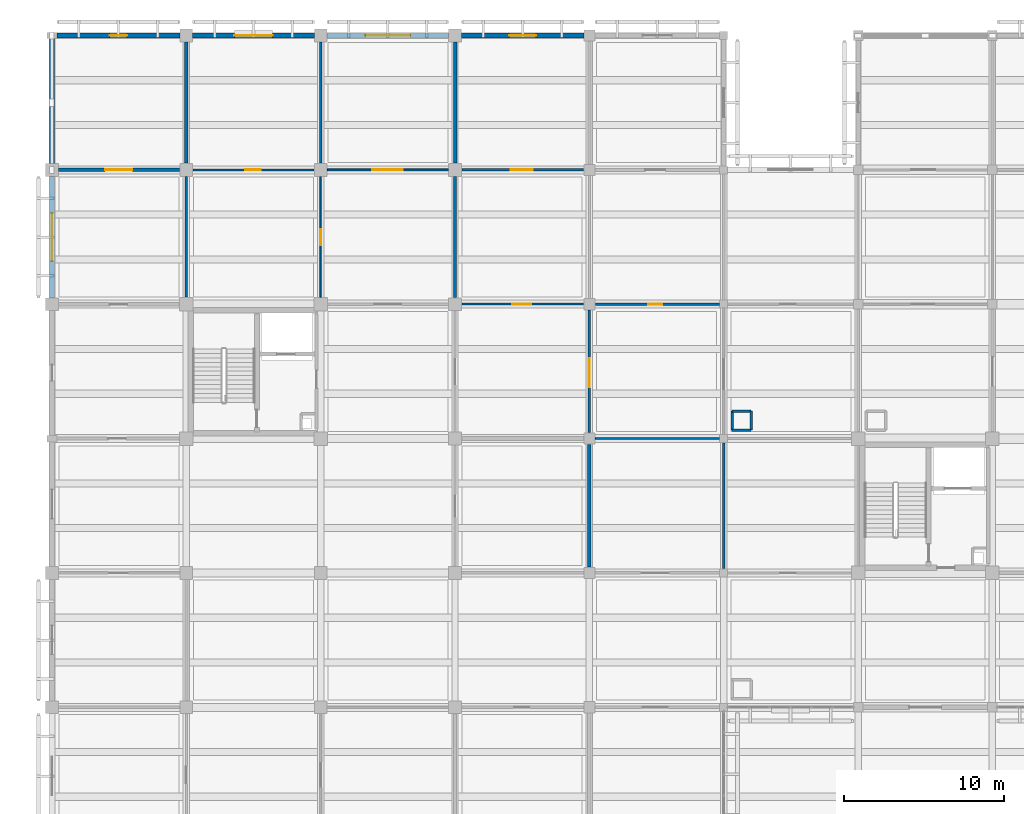
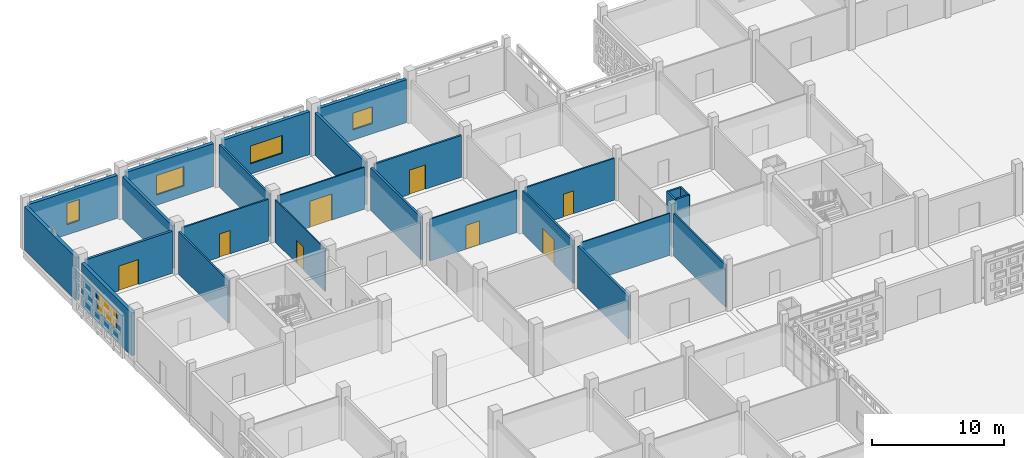
# One storey, part 64 of 129: 26 walls, 8 doors, 5 windows, 13 openings.
"""IFC4 building model written with IfcOpenShell, lengths in metres."""

from ifc_helpers import new_model, si_unit, direction, frame, frame_2d, origin, place, context, subcontext, project, spatial, rectangle, extrude, material, layer, layer_set, type_object, element, fill, save


model = new_model("IFC4")

# Units and contexts
model_context = context("Model", 3, precision=1e-05, world=origin(), true_north=direction((0.0, 1.0)))
body_context = subcontext(model_context, "Body", "Model", "MODEL_VIEW")
ifc_project = project(units=[si_unit("LENGTHUNIT", "METRE"), si_unit("AREAUNIT", "SQUARE_METRE"), si_unit("VOLUMEUNIT", "CUBIC_METRE"), si_unit("PLANEANGLEUNIT", "RADIAN"), si_unit("MASSUNIT", "GRAM", prefix="KILO")], contexts=[model_context])

# Site, building, storey
site_placement = place(None, origin())
site = spatial("IfcSite", under=ifc_project, at=site_placement, CompositionType="ELEMENT")
building_placement = place(site_placement, origin())
building = spatial("IfcBuilding", under=site, at=building_placement, Name="Varnapada Polytechnic", CompositionType="ELEMENT")
storey_placement = place(building_placement, origin())
storey = spatial("IfcBuildingStorey", under=building, at=storey_placement, Name="L00", CompositionType="ELEMENT", Elevation=0.0)

# Walls
ifc_material_1 = material(Name="Autoclaved Aerated Concrete Block AAC-600", Category="concrete")
ifc_layer_1 = layer(ifc_material_1, 0.14990234375)
ifc_layer_set_1 = layer_set([ifc_layer_1], Name="Autoclaved Aerated Concrete Block AAC-600")
wall_type_1 = type_object("IfcWallType", Name="Interior Wall IW-02", PredefinedType="PARTITIONING", material=ifc_layer_set_1)
for number, where, z_axis, x_axis, name in (
    (1, (42.52001953125, 101.320068359375, 0.0), (0.0, 0.0, 1.0), (1.0, 0.0, 0.0), "L00 enclosed service riser wall (6,13) S"),
    (2, (43.719970703125, 101.320068359375, 0.0), (0.0, 0.0, 1.0), (0.0, 1.0, 0.0), "L00 enclosed service riser wall (6,13) E"),
    (3, (43.719970703125, 102.52001953125, 0.0), (0.0, 0.0, 1.0), (-1.0, 0.0, 0.0), "L00 enclosed service riser wall (6,13) N"),
    (4, (42.52001953125, 102.52001953125, 0.0), (0.0, 0.0, 1.0), (0.0, -1.0, 0.0), "L00 enclosed service riser wall (6,13) W"),
):
    element("IfcWall", number, at=place(storey_placement, frame(where, z_axis=z_axis, x_axis=x_axis)), inside=storey, type_object=wall_type_1, Name=name, PredefinedType="PARTITIONING", context=body_context, shape_type="SweptSolid", body=[
        extrude(rectangle(XDim=1.199951171875, YDim=0.14990234375, at=frame_2d((0.60009765625, 0.0))), origin(), (0.0, 0.0, 1.0), 4.550048828125),
    ])

# Wall, opening, door
wall_1_placement = place(storey_placement, frame((33.60009765625, 101.169921875, 0.0), z_axis=(0.0, 0.0, 1.0), x_axis=(0.0, 1.0, 0.0)))
wall_1 = element("IfcWall", 5, at=wall_1_placement, inside=storey, type_object=wall_type_1, Name="L00 interior partition IW-L00-03-12-V", PredefinedType="PARTITIONING", context=body_context, shape_type="SweptSolid", body=[
    extrude(rectangle(XDim=7.66015625, YDim=0.14990234375, at=frame_2d((3.830078125, 0.0))), origin(), (0.0, 0.0, 1.0), 3.919921875),
])
opening_1_placement = place(wall_1_placement, frame((2.85009765625, 0.0, 0.0)))
opening_1 = element("IfcOpeningElement", 6, at=opening_1_placement, cuts=wall_1, Name="Opening D-852", PredefinedType="OPENING", context=body_context, shape_type="SweptSolid", body=[
    extrude(rectangle(XDim=1.800048828125, YDim=2.300048828125, at=frame_2d((0.89990234375, 1.14990234375))), frame((0.0, 0.0849609375, 0.0), z_axis=(0.0, -1.0, 0.0), x_axis=(1.0, 0.0, 0.0)), (0.0, 0.0, 1.0), 0.169921875),
])
ifc_material_2 = material(Name="Acoustic Double Timber Leaf", Category="wood")
door_type_1 = type_object("IfcDoorType", Name="Interior Door ID-04", OperationType="NOTDEFINED", PredefinedType="DOOR", material=ifc_material_2)
door_1_placement = place(opening_1_placement, origin())
door_1 = element("IfcDoor", 7, at=door_1_placement, inside=storey, type_object=door_type_1, Name="L00 interior room door D-852", OperationType="SINGLE_SWING_LEFT", OverallHeight=2.300048828125, OverallWidth=1.800048828125, PredefinedType="DOOR", context=body_context, shape_type="SweptSolid", body=[
    extrude(rectangle(XDim=1.800048828125, YDim=2.300048828125, at=frame_2d((0.89990234375, 1.14990234375))), frame((0.0, 0.02490234375, 0.0), z_axis=(0.0, -1.0, 0.0), x_axis=(1.0, 0.0, 0.0)), (0.0, 0.0, 1.0), 0.050048828125),
])
fill(opening_1, door_1)

ifc_material_3 = material(Name="Gypsum Plasterboard Acoustic Partition")
ifc_layer_2 = layer(ifc_material_3, 0.125)
ifc_layer_set_2 = layer_set([ifc_layer_2], Name="Gypsum Plasterboard Acoustic Partition")
wall_type_2 = type_object("IfcWallType", Name="Interior Wall IW-03", PredefinedType="PARTITIONING", material=ifc_layer_set_2)
wall_2_placement = place(storey_placement, frame((25.6201171875, 109.199951171875, 0.0), z_axis=(0.0, 0.0, 1.0), x_axis=(1.0, 0.0, 0.0)))
wall_2 = element("IfcWall", 8, at=wall_2_placement, inside=storey, type_object=wall_type_2, Name="L00 interior partition IW-L00-03-12-H", PredefinedType="PARTITIONING", context=body_context, shape_type="SweptSolid", body=[
    extrude(rectangle(XDim=7.60986328125, YDim=0.125, at=frame_2d((3.804931640625, 0.0))), origin(), (0.0, 0.0, 1.0), 3.8701171875),
])
opening_2_placement = place(wall_2_placement, frame((3.14990234375, 0.0, 0.0)))
opening_2 = element("IfcOpeningElement", 9, at=opening_2_placement, cuts=wall_2, Name="Opening D-853", PredefinedType="OPENING", context=body_context, shape_type="SweptSolid", body=[
    extrude(rectangle(XDim=1.199951171875, YDim=2.199951171875, at=frame_2d((0.60009765625, 1.10009765625))), frame((0.0, 0.072509765625, 0.0), z_axis=(0.0, -1.0, 0.0), x_axis=(1.0, 0.0, 0.0)), (0.0, 0.0, 1.0), 0.14501953125),
])
ifc_material_4 = material(Name="Solid Teak Hardwood Timber", Category="wood")
door_type_2 = type_object("IfcDoorType", Name="Interior Door ID-05", OperationType="NOTDEFINED", PredefinedType="DOOR", material=ifc_material_4)
door_2_placement = place(opening_2_placement, origin())
door_2 = element("IfcDoor", 10, at=door_2_placement, inside=storey, type_object=door_type_2, Name="L00 interior room door D-853", OperationType="SINGLE_SWING_RIGHT", OverallHeight=2.199951171875, OverallWidth=1.199951171875, PredefinedType="DOOR", context=body_context, shape_type="SweptSolid", body=[
    extrude(rectangle(XDim=1.199951171875, YDim=2.199951171875, at=frame_2d((0.60009765625, 1.10009765625))), frame((0.0, 0.02490234375, 0.0), z_axis=(0.0, -1.0, 0.0), x_axis=(1.0, 0.0, 0.0)), (0.0, 0.0, 1.0), 0.050048828125),
])
fill(opening_2, door_2)

# Wall
ifc_material_5 = material(Name="Moisture-Resistant Cement Board Partition")
ifc_layer_3 = layer(ifc_material_5, 0.139892578125)
ifc_layer_set_3 = layer_set([ifc_layer_3], Name="Moisture-Resistant Cement Board Partition")
wall_type_3 = type_object("IfcWallType", Name="Interior Wall IW-04", PredefinedType="PARTITIONING", material=ifc_layer_set_3)
wall_3_placement = place(storey_placement, frame((42.0, 92.669921875, 0.0), z_axis=(0.0, 0.0, 1.0), x_axis=(0.0, 1.0, 0.0)))
element("IfcWall", 11, at=wall_3_placement, inside=storey, type_object=wall_type_3, Name="L00 interior partition IW-L00-04-11-V", PredefinedType="PARTITIONING", context=body_context, shape_type="SweptSolid", body=[
    extrude(rectangle(XDim=7.860107421875, YDim=0.139892578125, at=frame_2d((3.93017578125, 0.0))), origin(), (0.0, 0.0, 1.0), 3.919921875),
])

# Wall, opening, door
ifc_material_6 = material(Name="Cross-laminated timber CLT C24", Category="wood")
ifc_layer_4 = layer(ifc_material_6, 0.159912109375)
ifc_layer_set_4 = layer_set([ifc_layer_4], Name="Cross-laminated timber CLT C24")
wall_type_4 = type_object("IfcWallType", Name="Interior Wall IW-05", PredefinedType="PARTITIONING", material=ifc_layer_set_4)
wall_4_placement = place(storey_placement, frame((25.6201171875, 117.60009765625, 0.0), z_axis=(0.0, 0.0, 1.0), x_axis=(1.0, 0.0, 0.0)))
wall_4 = element("IfcWall", 12, at=wall_4_placement, inside=storey, type_object=wall_type_4, Name="L00 interior partition IW-L00-03-13-H", PredefinedType="PARTITIONING", context=body_context, shape_type="SweptSolid", body=[
    extrude(rectangle(XDim=7.60986328125, YDim=0.159912109375, at=frame_2d((3.804931640625, 0.0))), origin(), (0.0, 0.0, 1.0), 3.8701171875),
])
opening_3_placement = place(wall_4_placement, frame((3.050048828125, 0.0, 0.0)))
opening_3 = element("IfcOpeningElement", 13, at=opening_3_placement, cuts=wall_4, Name="Opening D-854", PredefinedType="OPENING", context=body_context, shape_type="SweptSolid", body=[
    extrude(rectangle(XDim=1.39990234375, YDim=2.25, at=frame_2d((0.699951171875, 1.125))), frame((0.0, 0.08984375, 0.0), z_axis=(0.0, -1.0, 0.0), x_axis=(1.0, 0.0, 0.0)), (0.0, 0.0, 1.0), 0.179931640625),
])
ifc_material_7 = material(Name="Powder-Coated Aluminium 6063-T6", Category="aluminium")
door_type_3 = type_object("IfcDoorType", Name="Interior Door ID-06", OperationType="NOTDEFINED", PredefinedType="DOOR", material=ifc_material_7)
door_3_placement = place(opening_3_placement, frame((1.39990234375, 0.0, 0.0), z_axis=(0.0, 0.0, 1.0), x_axis=(-1.0, 0.0, 0.0)))
door_3 = element("IfcDoor", 14, at=door_3_placement, inside=storey, type_object=door_type_3, Name="L00 interior room door D-854", OperationType="SINGLE_SWING_LEFT", OverallHeight=2.25, OverallWidth=1.39990234375, PredefinedType="DOOR", context=body_context, shape_type="SweptSolid", body=[
    extrude(rectangle(XDim=1.39990234375, YDim=2.25, at=frame_2d((0.699951171875, 1.125))), frame((0.0, 0.02490234375, 0.0), z_axis=(0.0, -1.0, 0.0), x_axis=(1.0, 0.0, 0.0)), (0.0, 0.0, 1.0), 0.050048828125),
])
fill(opening_3, door_3)

# Wall
ifc_material_8 = material(Name="Glazed Timber-Framed Studio Screen", Category="wood")
ifc_layer_5 = layer(ifc_material_8, 0.110107421875)
ifc_layer_set_5 = layer_set([ifc_layer_5], Name="Glazed Timber-Framed Studio Screen")
wall_type_5 = type_object("IfcWallType", Name="Interior Wall IW-07", PredefinedType="PARTITIONING", material=ifc_layer_set_5)
wall_5_placement = place(storey_placement, frame((33.969970703125, 100.800048828125, 0.0), z_axis=(0.0, 0.0, 1.0), x_axis=(1.0, 0.0, 0.0)))
element("IfcWall", 15, at=wall_5_placement, inside=storey, type_object=wall_type_5, Name="L00 interior partition IW-L00-04-11-H", PredefinedType="PARTITIONING", context=body_context, shape_type="SweptSolid", body=[
    extrude(rectangle(XDim=7.760009765625, YDim=0.110107421875, at=frame_2d((3.8798828125, 0.0))), origin(), (0.0, 0.0, 1.0), 3.8701171875),
])

# Wall, opening, door
ifc_material_9 = material(Name="Operable Acoustic Seminar Partition")
ifc_layer_6 = layer(ifc_material_9, 0.10009765625)
ifc_layer_set_6 = layer_set([ifc_layer_6], Name="Operable Acoustic Seminar Partition")
wall_type_6 = type_object("IfcWallType", Name="Interior Wall IW-08", PredefinedType="MOVABLE", material=ifc_layer_set_6)
wall_6_placement = place(storey_placement, frame((16.800048828125, 109.64501953125, 0.0), z_axis=(0.0, 0.0, 1.0), x_axis=(0.0, 1.0, 0.0)))
wall_6 = element("IfcWall", 16, at=wall_6_placement, inside=storey, type_object=wall_type_6, Name="L00 interior partition IW-L00-01-13-V", PredefinedType="MOVABLE", context=body_context, shape_type="SweptSolid", body=[
    extrude(rectangle(XDim=7.534912109375, YDim=0.10009765625, at=frame_2d((3.767578125, 0.0))), origin(), (0.0, 0.0, 1.0), 3.919921875),
])
opening_4_placement = place(wall_6_placement, frame((3.25, 0.0, 0.0)))
opening_4 = element("IfcOpeningElement", 17, at=opening_4_placement, cuts=wall_6, Name="Opening D-833", PredefinedType="OPENING", context=body_context, shape_type="SweptSolid", body=[
    extrude(rectangle(XDim=1.0, YDim=2.14990234375, at=frame_2d((0.5, 1.074951171875))), frame((0.0, 0.06005859375, 0.0), z_axis=(0.0, -1.0, 0.0), x_axis=(1.0, 0.0, 0.0)), (0.0, 0.0, 1.0), 0.1201171875),
])
door_type_4 = type_object("IfcDoorType", Name="Interior Door ID-02", OperationType="NOTDEFINED", PredefinedType="DOOR", material=ifc_material_4)
door_4_placement = place(opening_4_placement, frame((1.0, 0.0, 0.0), z_axis=(0.0, 0.0, 1.0), x_axis=(-1.0, 0.0, 0.0)))
door_4 = element("IfcDoor", 18, at=door_4_placement, inside=storey, type_object=door_type_4, Name="L00 interior room door D-833", OperationType="SINGLE_SWING_RIGHT", OverallHeight=2.14990234375, OverallWidth=1.0, PredefinedType="DOOR", context=body_context, shape_type="SweptSolid", body=[
    extrude(rectangle(XDim=1.0, YDim=2.14990234375, at=frame_2d((0.5, 1.074951171875))), frame((0.0, 0.02490234375, 0.0), z_axis=(0.0, -1.0, 0.0), x_axis=(1.0, 0.0, 0.0)), (0.0, 0.0, 1.0), 0.050048828125),
])
fill(opening_4, door_4)

ifc_material_10 = material(Name="Calcium Silicate Acoustic Lab Partition")
ifc_layer_7 = layer(ifc_material_10, 0.135009765625)
ifc_layer_set_7 = layer_set([ifc_layer_7], Name="Calcium Silicate Acoustic Lab Partition")
wall_type_7 = type_object("IfcWallType", Name="Interior Wall IW-09", PredefinedType="PARTITIONING", material=ifc_layer_set_7)
wall_7_placement = place(storey_placement, frame((8.820068359375, 117.60009765625, 0.0), z_axis=(0.0, 0.0, 1.0), x_axis=(1.0, 0.0, 0.0)))
wall_7 = element("IfcWall", 19, at=wall_7_placement, inside=storey, type_object=wall_type_7, Name="L00 interior partition IW-L00-01-13-H", PredefinedType="PARTITIONING", context=body_context, shape_type="SweptSolid", body=[
    extrude(rectangle(XDim=7.559814453125, YDim=0.135009765625, at=frame_2d((3.77978515625, 0.0))), origin(), (0.0, 0.0, 1.0), 3.8701171875),
])
opening_5_placement = place(wall_7_placement, frame((3.27490234375, 0.0, 0.0)))
opening_5 = element("IfcOpeningElement", 20, at=opening_5_placement, cuts=wall_7, Name="Opening D-834", PredefinedType="OPENING", context=body_context, shape_type="SweptSolid", body=[
    extrude(rectangle(XDim=0.949951171875, YDim=2.14990234375, at=frame_2d((0.47509765625, 1.074951171875))), frame((0.0, 0.077392578125, 0.0), z_axis=(0.0, -1.0, 0.0), x_axis=(1.0, 0.0, 0.0)), (0.0, 0.0, 1.0), 0.155029296875),
])
ifc_material_11 = material(Name="Moisture-Resistant HPL Timber", Category="wood")
door_type_5 = type_object("IfcDoorType", Name="Interior Door ID-03", OperationType="NOTDEFINED", PredefinedType="DOOR", material=ifc_material_11)
door_5_placement = place(opening_5_placement, origin())
door_5 = element("IfcDoor", 21, at=door_5_placement, inside=storey, type_object=door_type_5, Name="L00 interior room door D-834", OperationType="SINGLE_SWING_LEFT", OverallHeight=2.14990234375, OverallWidth=0.949951171875, PredefinedType="DOOR", context=body_context, shape_type="SweptSolid", body=[
    extrude(rectangle(XDim=0.949951171875, YDim=2.14990234375, at=frame_2d((0.47509765625, 1.074951171875))), frame((0.0, 0.02490234375, 0.0), z_axis=(0.0, -1.0, 0.0), x_axis=(1.0, 0.0, 0.0)), (0.0, 0.0, 1.0), 0.050048828125),
])
fill(opening_5, door_5)

wall_8_placement = place(storey_placement, frame((33.969970703125, 109.199951171875, 0.0), z_axis=(0.0, 0.0, 1.0), x_axis=(1.0, 0.0, 0.0)))
wall_8 = element("IfcWall", 22, at=wall_8_placement, inside=storey, type_object=wall_type_7, Name="L00 interior partition IW-L00-04-12-H", PredefinedType="PARTITIONING", context=body_context, shape_type="SweptSolid", body=[
    extrude(rectangle(XDim=7.760009765625, YDim=0.135009765625, at=frame_2d((3.8798828125, 0.0))), origin(), (0.0, 0.0, 1.0), 3.8701171875),
])
opening_6_placement = place(wall_8_placement, frame((3.300048828125, 0.0, 0.0)))
opening_6 = element("IfcOpeningElement", 23, at=opening_6_placement, cuts=wall_8, Name="Opening D-863", PredefinedType="OPENING", context=body_context, shape_type="SweptSolid", body=[
    extrude(rectangle(XDim=0.89990234375, YDim=2.10009765625, at=frame_2d((0.449951171875, 1.050048828125))), frame((0.0, 0.077392578125, 0.0), z_axis=(0.0, -1.0, 0.0), x_axis=(1.0, 0.0, 0.0)), (0.0, 0.0, 1.0), 0.155029296875),
])
door_type_6 = type_object("IfcDoorType", Name="Interior Door ID-15", OperationType="NOTDEFINED", PredefinedType="DOOR", material=ifc_material_11)
door_6_placement = place(opening_6_placement, frame((0.89990234375, 0.0, 0.0), z_axis=(0.0, 0.0, 1.0), x_axis=(-1.0, 0.0, 0.0)))
door_6 = element("IfcDoor", 24, at=door_6_placement, inside=storey, type_object=door_type_6, Name="L00 interior room door D-863", OperationType="SINGLE_SWING_RIGHT", OverallHeight=2.10009765625, OverallWidth=0.89990234375, PredefinedType="DOOR", context=body_context, shape_type="SweptSolid", body=[
    extrude(rectangle(XDim=0.89990234375, YDim=2.10009765625, at=frame_2d((0.449951171875, 1.050048828125))), frame((0.0, 0.02490234375, 0.0), z_axis=(0.0, -1.0, 0.0), x_axis=(1.0, 0.0, 0.0)), (0.0, 0.0, 1.0), 0.050048828125),
])
fill(opening_6, door_6)

# Walls
ifc_material_12 = material(Name="Double-Layer Fireboard Workshop Wall")
ifc_layer_8 = layer(ifc_material_12, 0.169921875)
ifc_layer_set_8 = layer_set([ifc_layer_8], Name="Double-Layer Fireboard Workshop Wall")
wall_type_8 = type_object("IfcWallType", Name="Interior Wall IW-10", PredefinedType="PARTITIONING", material=ifc_layer_set_8)
wall_9_placement = place(storey_placement, frame((16.800048828125, 118.02001953125, 0.0), z_axis=(0.0, 0.0, 1.0), x_axis=(0.0, 1.0, 0.0)))
element("IfcWall", 25, at=wall_9_placement, inside=storey, type_object=wall_type_8, Name="L00 interior partition IW-L00-01-14-V", PredefinedType="PARTITIONING", context=body_context, shape_type="SweptSolid", body=[
    extrude(rectangle(XDim=7.56005859375, YDim=0.169921875, at=frame_2d((3.780029296875, 0.0))), origin(), (0.0, 0.0, 1.0), 3.919921875),
])
ifc_material_13 = material(Name="Insulated Masonry Plant Room Wall", Category="masonry")
ifc_layer_9 = layer(ifc_material_13, 0.18994140625)
ifc_layer_set_9 = layer_set([ifc_layer_9], Name="Insulated Masonry Plant Room Wall")
wall_type_9 = type_object("IfcWallType", Name="Interior Wall IW-11", PredefinedType="PARTITIONING", material=ifc_layer_set_9)
wall_10_placement = place(storey_placement, frame((25.199951171875, 109.6201171875, 0.0), z_axis=(0.0, 0.0, 1.0), x_axis=(0.0, 1.0, 0.0)))
element("IfcWall", 26, at=wall_10_placement, inside=storey, type_object=wall_type_9, Name="L00 interior partition IW-L00-02-13-V", PredefinedType="PARTITIONING", context=body_context, shape_type="SweptSolid", body=[
    extrude(rectangle(XDim=7.559814453125, YDim=0.18994140625, at=frame_2d((3.77978515625, 0.0))), origin(), (0.0, 0.0, 1.0), 3.919921875),
])

# Wall, opening, door
ifc_material_14 = material(Name="Timber-Stud Studio Critique Partition", Category="wood")
ifc_layer_10 = layer(ifc_material_14, 0.114990234375)
ifc_layer_set_10 = layer_set([ifc_layer_10], Name="Timber-Stud Studio Critique Partition")
wall_type_10 = type_object("IfcWallType", Name="Interior Wall IW-12", PredefinedType="PARTITIONING", material=ifc_layer_set_10)
wall_11_placement = place(storey_placement, frame((17.219970703125, 117.60009765625, 0.0), z_axis=(0.0, 0.0, 1.0), x_axis=(1.0, 0.0, 0.0)))
wall_11 = element("IfcWall", 27, at=wall_11_placement, inside=storey, type_object=wall_type_10, Name="L00 interior partition IW-L00-02-13-H", PredefinedType="PARTITIONING", context=body_context, shape_type="SweptSolid", body=[
    extrude(rectangle(XDim=7.56005859375, YDim=0.114990234375, at=frame_2d((3.780029296875, 0.0))), origin(), (0.0, 0.0, 1.0), 3.8701171875),
])
opening_7_placement = place(wall_11_placement, frame((2.800048828125, 0.0, 0.0)))
opening_7 = element("IfcOpeningElement", 28, at=opening_7_placement, cuts=wall_11, Name="Opening D-845", PredefinedType="OPENING", context=body_context, shape_type="SweptSolid", body=[
    extrude(rectangle(XDim=1.89990234375, YDim=2.39990234375, at=frame_2d((0.949951171875, 1.199951171875))), frame((0.0, 0.0673828125, 0.0), z_axis=(0.0, -1.0, 0.0), x_axis=(1.0, 0.0, 0.0)), (0.0, 0.0, 1.0), 0.135009765625),
])
ifc_material_15 = material(Name="Heavy Workshop Double Steel Door", Category="steel")
door_type_7 = type_object("IfcDoorType", Name="Interior Door ID-14", OperationType="NOTDEFINED", PredefinedType="DOOR", material=ifc_material_15)
door_7_placement = place(opening_7_placement, frame((1.89990234375, 0.0, 0.0), z_axis=(0.0, 0.0, 1.0), x_axis=(-1.0, 0.0, 0.0)))
door_7 = element("IfcDoor", 29, at=door_7_placement, inside=storey, type_object=door_type_7, Name="L00 interior room door D-845", OperationType="SINGLE_SWING_RIGHT", OverallHeight=2.39990234375, OverallWidth=1.89990234375, PredefinedType="DOOR", context=body_context, shape_type="SweptSolid", body=[
    extrude(rectangle(XDim=1.89990234375, YDim=2.39990234375, at=frame_2d((0.949951171875, 1.199951171875))), frame((0.0, 0.02490234375, 0.0), z_axis=(0.0, -1.0, 0.0), x_axis=(1.0, 0.0, 0.0)), (0.0, 0.0, 1.0), 0.050048828125),
])
fill(opening_7, door_7)

# Walls
ifc_material_16 = material(Name="Heavy Acoustic Auditorium Baffle Wall")
ifc_layer_11 = layer(ifc_material_16, 0.219970703125)
ifc_layer_set_11 = layer_set([ifc_layer_11], Name="Heavy Acoustic Auditorium Baffle Wall")
wall_type_11 = type_object("IfcWallType", Name="Interior Wall IW-13", PredefinedType="PARTITIONING", material=ifc_layer_set_11)
wall_12_placement = place(storey_placement, frame((25.199951171875, 118.02001953125, 0.0), z_axis=(0.0, 0.0, 1.0), x_axis=(0.0, 1.0, 0.0)))
element("IfcWall", 30, at=wall_12_placement, inside=storey, type_object=wall_type_11, Name="L00 interior partition IW-L00-02-14-V", PredefinedType="PARTITIONING", context=body_context, shape_type="SweptSolid", body=[
    extrude(rectangle(XDim=7.56005859375, YDim=0.219970703125, at=frame_2d((3.780029296875, 0.0))), origin(), (0.0, 0.0, 1.0), 3.919921875),
])
ifc_material_17 = material(Name="Perforated Timber-Lined Seminar Wall", Category="wood")
ifc_layer_12 = layer(ifc_material_17, 0.155029296875)
ifc_layer_set_12 = layer_set([ifc_layer_12], Name="Perforated Timber-Lined Seminar Wall")
wall_type_12 = type_object("IfcWallType", Name="Interior Wall IW-15", PredefinedType="PARTITIONING", material=ifc_layer_set_12)
wall_13_placement = place(storey_placement, frame((8.39990234375, 109.64501953125, 0.0), z_axis=(0.0, 0.0, 1.0), x_axis=(0.0, 1.0, 0.0)))
element("IfcWall", 31, at=wall_13_placement, inside=storey, type_object=wall_type_12, Name="L00 interior partition IW-L00-00-13-V", PredefinedType="PARTITIONING", context=body_context, shape_type="SweptSolid", body=[
    extrude(rectangle(XDim=7.534912109375, YDim=0.155029296875, at=frame_2d((3.767578125, 0.0))), origin(), (0.0, 0.0, 1.0), 3.919921875),
])

# Wall, opening, door
ifc_material_18 = material(Name="Heavy Masonry Workshop Partition", Category="masonry")
ifc_layer_13 = layer(ifc_material_18, 0.2099609375)
ifc_layer_set_13 = layer_set([ifc_layer_13], Name="Heavy Masonry Workshop Partition")
wall_type_13 = type_object("IfcWallType", Name="Interior Wall IW-16", PredefinedType="PARTITIONING", material=ifc_layer_set_13)
wall_14_placement = place(storey_placement, frame((0.419921875, 117.60009765625, 0.0), z_axis=(0.0, 0.0, 1.0), x_axis=(1.0, 0.0, 0.0)))
wall_14 = element("IfcWall", 32, at=wall_14_placement, inside=storey, type_object=wall_type_13, Name="L00 interior partition IW-L00-00-13-H", PredefinedType="PARTITIONING", context=body_context, shape_type="SweptSolid", body=[
    extrude(rectangle(XDim=7.56005859375, YDim=0.2099609375, at=frame_2d((3.780029296875, 0.0))), origin(), (0.0, 0.0, 1.0), 3.8701171875),
])
opening_8_placement = place(wall_14_placement, frame((2.89990234375, 0.0, 0.0)))
opening_8 = element("IfcOpeningElement", 33, at=opening_8_placement, cuts=wall_14, Name="Opening D-827", PredefinedType="OPENING", context=body_context, shape_type="SweptSolid", body=[
    extrude(rectangle(XDim=1.699951171875, YDim=2.300048828125, at=frame_2d((0.85009765625, 1.14990234375))), frame((0.0, 0.114990234375, 0.0), z_axis=(0.0, -1.0, 0.0), x_axis=(1.0, 0.0, 0.0)), (0.0, 0.0, 1.0), 0.22998046875),
])
door_type_8 = type_object("IfcDoorType", Name="Interior Door ID-13", OperationType="NOTDEFINED", PredefinedType="DOOR", material=ifc_material_2)
door_8_placement = place(opening_8_placement, frame((1.699951171875, 0.0, 0.0), z_axis=(0.0, 0.0, 1.0), x_axis=(-1.0, 0.0, 0.0)))
door_8 = element("IfcDoor", 34, at=door_8_placement, inside=storey, type_object=door_type_8, Name="L00 interior room door D-827", OperationType="SINGLE_SWING_RIGHT", OverallHeight=2.300048828125, OverallWidth=1.699951171875, PredefinedType="DOOR", context=body_context, shape_type="SweptSolid", body=[
    extrude(rectangle(XDim=1.699951171875, YDim=2.300048828125, at=frame_2d((0.85009765625, 1.14990234375))), frame((0.0, 0.02490234375, 0.0), z_axis=(0.0, -1.0, 0.0), x_axis=(1.0, 0.0, 0.0)), (0.0, 0.0, 1.0), 0.050048828125),
])
fill(opening_8, door_8)

# Walls
wall_15_placement = place(storey_placement, frame((33.60009765625, 92.77001953125, 0.0), z_axis=(0.0, 0.0, 1.0), x_axis=(0.0, 1.0, 0.0)))
element("IfcWall", 35, at=wall_15_placement, inside=storey, type_object=wall_type_13, Name="L00 interior partition IW-L00-03-11-V", PredefinedType="PARTITIONING", context=body_context, shape_type="SweptSolid", body=[
    extrude(rectangle(XDim=7.659912109375, YDim=0.2099609375, at=frame_2d((3.830078125, 0.0))), origin(), (0.0, 0.0, 1.0), 3.919921875),
])
ifc_material_19 = material(Name="Double-Leaf Acoustic Lecture Wall")
ifc_layer_14 = layer(ifc_material_19, 0.235107421875)
ifc_layer_set_14 = layer_set([ifc_layer_14], Name="Double-Leaf Acoustic Lecture Wall")
wall_type_14 = type_object("IfcWallType", Name="Interior Wall IW-17", PredefinedType="PARTITIONING", material=ifc_layer_set_14)
wall_16_placement = place(storey_placement, frame((8.39990234375, 118.02001953125, 0.0), z_axis=(0.0, 0.0, 1.0), x_axis=(0.0, 1.0, 0.0)))
element("IfcWall", 36, at=wall_16_placement, inside=storey, type_object=wall_type_14, Name="L00 interior partition IW-L00-00-14-V", PredefinedType="PARTITIONING", context=body_context, shape_type="SweptSolid", body=[
    extrude(rectangle(XDim=7.56005859375, YDim=0.235107421875, at=frame_2d((3.780029296875, 0.0))), origin(), (0.0, 0.0, 1.0), 3.919921875),
])

# Wall, opening, window
ifc_material_20 = material(Name="Precast concrete C40/50", Category="concrete")
ifc_layer_15 = layer(ifc_material_20, 0.300048828125)
ifc_layer_set_15 = layer_set([ifc_layer_15], Name="Precast concrete C40/50")
wall_type_15 = type_object("IfcWallType", Name="Wall EW-01", PredefinedType="SOLIDWALL", material=ifc_layer_set_15)
wall_17_placement = place(storey_placement, frame((0.0, 109.60009765625, 0.0), z_axis=(0.0, 0.0, 1.0), x_axis=(0.0, 1.0, 0.0)))
wall_17 = element("IfcWall", 37, at=wall_17_placement, inside=storey, type_object=wall_type_15, Name="L00 exterior wall EW-01 (10)", PredefinedType="SOLIDWALL", context=body_context, shape_type="SweptSolid", body=[
    extrude(rectangle(XDim=7.599853515625, YDim=0.300048828125, at=frame_2d((3.7998046875, 0.0))), origin(), (0.0, 0.0, 1.0), 3.9599609375),
])
opening_9_placement = place(wall_17_placement, frame((2.300048828125, 0.0, 0.949951171875)))
opening_9 = element("IfcOpeningElement", 38, at=opening_9_placement, cuts=wall_17, Name="Opening WN-14", PredefinedType="OPENING", context=body_context, shape_type="SweptSolid", body=[
    extrude(rectangle(XDim=3.0, YDim=1.800048828125, at=frame_2d((1.5, 0.89990234375))), frame((0.0, 0.159912109375, 0.0), z_axis=(0.0, -1.0, 0.0), x_axis=(1.0, 0.0, 0.0)), (0.0, 0.0, 1.0), 0.320068359375),
])
ifc_material_21 = material(Name="Double low-E laminated glass", Category="glass")
window_type_1 = type_object("IfcWindowType", Name="Window WN-14", PartitioningType="SINGLE_PANEL", PredefinedType="WINDOW", material=ifc_material_21)
window_1_placement = place(opening_9_placement, origin())
window_1 = element("IfcWindow", 39, at=window_1_placement, inside=storey, type_object=window_type_1, Name="L00 window WN-14 (7)", OverallHeight=1.800048828125, OverallWidth=3.0, PartitioningType="SINGLE_PANEL", PredefinedType="WINDOW", context=body_context, shape_type="SweptSolid", body=[
    extrude(rectangle(XDim=3.0, YDim=1.800048828125, at=frame_2d((1.5, 0.89990234375))), frame((0.0, 0.030029296875, 0.0), z_axis=(0.0, -1.0, 0.0), x_axis=(1.0, 0.0, 0.0)), (0.0, 0.0, 1.0), 0.06005859375),
])
fill(opening_9, window_1)

wall_18_placement = place(storey_placement, frame((0.300048828125, 126.0, 0.0), z_axis=(0.0, 0.0, 1.0), x_axis=(1.0, 0.0, 0.0)))
wall_18 = element("IfcWall", 40, at=wall_18_placement, inside=storey, type_object=wall_type_15, Name="L00 exterior wall EW-01 (11)", PredefinedType="SOLIDWALL", context=body_context, shape_type="SweptSolid", body=[
    extrude(rectangle(XDim=7.699951171875, YDim=0.300048828125, at=frame_2d((3.85009765625, 0.0))), origin(), (0.0, 0.0, 1.0), 3.9599609375),
])
opening_10_placement = place(wall_18_placement, frame((3.300048828125, 0.0, 0.949951171875)))
opening_10 = element("IfcOpeningElement", 41, at=opening_10_placement, cuts=wall_18, Name="Opening WN-15", PredefinedType="OPENING", context=body_context, shape_type="SweptSolid", body=[
    extrude(rectangle(XDim=1.10009765625, YDim=1.949951171875, at=frame_2d((0.550048828125, 0.97509765625))), frame((0.0, 0.159912109375, 0.0), z_axis=(0.0, -1.0, 0.0), x_axis=(1.0, 0.0, 0.0)), (0.0, 0.0, 1.0), 0.320068359375),
])
window_type_2 = type_object("IfcWindowType", Name="Window WN-15", PartitioningType="SINGLE_PANEL", PredefinedType="WINDOW", material=ifc_material_21)
window_2_placement = place(opening_10_placement, origin())
window_2 = element("IfcWindow", 42, at=window_2_placement, inside=storey, type_object=window_type_2, Name="L00 window WN-15 (8)", OverallHeight=1.949951171875, OverallWidth=1.10009765625, PartitioningType="SINGLE_PANEL", PredefinedType="WINDOW", context=body_context, shape_type="SweptSolid", body=[
    extrude(rectangle(XDim=1.10009765625, YDim=1.949951171875, at=frame_2d((0.550048828125, 0.97509765625))), frame((0.0, 0.030029296875, 0.0), z_axis=(0.0, -1.0, 0.0), x_axis=(1.0, 0.0, 0.0)), (0.0, 0.0, 1.0), 0.06005859375),
])
fill(opening_10, window_2)

# Wall
wall_19_placement = place(storey_placement, frame((0.0, 118.0, 0.0), z_axis=(0.0, 0.0, 1.0), x_axis=(0.0, 1.0, 0.0)))
element("IfcWall", 43, at=wall_19_placement, inside=storey, type_object=wall_type_15, Name="L00 exterior wall EW-01 (12)", PredefinedType="SOLIDWALL", context=body_context, shape_type="SweptSolid", body=[
    extrude(rectangle(XDim=7.800048828125, YDim=0.300048828125, at=frame_2d((3.89990234375, 0.0))), origin(), (0.0, 0.0, 1.0), 3.9599609375),
])

# Wall, opening, window
wall_20_placement = place(storey_placement, frame((8.800048828125, 126.0, 0.0), z_axis=(0.0, 0.0, 1.0), x_axis=(1.0, 0.0, 0.0)))
wall_20 = element("IfcWall", 44, at=wall_20_placement, inside=storey, type_object=wall_type_15, Name="L00 exterior wall EW-01 (19)", PredefinedType="SOLIDWALL", context=body_context, shape_type="SweptSolid", body=[
    extrude(rectangle(XDim=7.599853515625, YDim=0.300048828125, at=frame_2d((3.7998046875, 0.0))), origin(), (0.0, 0.0, 1.0), 3.9599609375),
])
opening_11_placement = place(wall_20_placement, frame((2.60009765625, 0.0, 0.949951171875)))
opening_11 = element("IfcOpeningElement", 45, at=opening_11_placement, cuts=wall_20, Name="Opening WN-02", PredefinedType="OPENING", context=body_context, shape_type="SweptSolid", body=[
    extrude(rectangle(XDim=2.39990234375, YDim=1.800048828125, at=frame_2d((1.199951171875, 0.89990234375))), frame((0.0, 0.159912109375, 0.0), z_axis=(0.0, -1.0, 0.0), x_axis=(1.0, 0.0, 0.0)), (0.0, 0.0, 1.0), 0.320068359375),
])
window_type_3 = type_object("IfcWindowType", Name="Window WN-02", PartitioningType="SINGLE_PANEL", PredefinedType="WINDOW", material=ifc_material_21)
window_3_placement = place(opening_11_placement, origin())
window_3 = element("IfcWindow", 46, at=window_3_placement, inside=storey, type_object=window_type_3, Name="L00 window WN-02 (15)", OverallHeight=1.800048828125, OverallWidth=2.39990234375, PartitioningType="SINGLE_PANEL", PredefinedType="WINDOW", context=body_context, shape_type="SweptSolid", body=[
    extrude(rectangle(XDim=2.39990234375, YDim=1.800048828125, at=frame_2d((1.199951171875, 0.89990234375))), frame((0.0, 0.030029296875, 0.0), z_axis=(0.0, -1.0, 0.0), x_axis=(1.0, 0.0, 0.0)), (0.0, 0.0, 1.0), 0.06005859375),
])
fill(opening_11, window_3)

wall_21_placement = place(storey_placement, frame((17.199951171875, 126.0, 0.0), z_axis=(0.0, 0.0, 1.0), x_axis=(1.0, 0.0, 0.0)))
wall_21 = element("IfcWall", 47, at=wall_21_placement, inside=storey, type_object=wall_type_15, Name="L00 exterior wall EW-01 (21)", PredefinedType="SOLIDWALL", context=body_context, shape_type="SweptSolid", body=[
    extrude(rectangle(XDim=7.60009765625, YDim=0.300048828125, at=frame_2d((3.800048828125, 0.0))), origin(), (0.0, 0.0, 1.0), 3.9599609375),
])
opening_12_placement = place(wall_21_placement, frame((2.39990234375, 0.0, 0.949951171875)))
opening_12 = element("IfcOpeningElement", 48, at=opening_12_placement, cuts=wall_21, Name="Opening WN-13", PredefinedType="OPENING", context=body_context, shape_type="SweptSolid", body=[
    extrude(rectangle(XDim=2.800048828125, YDim=1.64990234375, at=frame_2d((1.39990234375, 0.824951171875))), frame((0.0, 0.159912109375, 0.0), z_axis=(0.0, -1.0, 0.0), x_axis=(1.0, 0.0, 0.0)), (0.0, 0.0, 1.0), 0.320068359375),
])
window_type_4 = type_object("IfcWindowType", Name="Window WN-13", PartitioningType="SINGLE_PANEL", PredefinedType="WINDOW", material=ifc_material_21)
window_4_placement = place(opening_12_placement, origin())
window_4 = element("IfcWindow", 49, at=window_4_placement, inside=storey, type_object=window_type_4, Name="L00 window WN-13 (16)", OverallHeight=1.64990234375, OverallWidth=2.800048828125, PartitioningType="SINGLE_PANEL", PredefinedType="WINDOW", context=body_context, shape_type="SweptSolid", body=[
    extrude(rectangle(XDim=2.800048828125, YDim=1.64990234375, at=frame_2d((1.39990234375, 0.824951171875))), frame((0.0, 0.030029296875, 0.0), z_axis=(0.0, -1.0, 0.0), x_axis=(1.0, 0.0, 0.0)), (0.0, 0.0, 1.0), 0.06005859375),
])
fill(opening_12, window_4)

wall_22_placement = place(storey_placement, frame((25.60009765625, 126.0, 0.0), z_axis=(0.0, 0.0, 1.0), x_axis=(1.0, 0.0, 0.0)))
wall_22 = element("IfcWall", 50, at=wall_22_placement, inside=storey, type_object=wall_type_15, Name="L00 exterior wall EW-01 (23)", PredefinedType="SOLIDWALL", context=body_context, shape_type="SweptSolid", body=[
    extrude(rectangle(XDim=7.64990234375, YDim=0.300048828125, at=frame_2d((3.824951171875, 0.0))), origin(), (0.0, 0.0, 1.0), 3.9599609375),
])
opening_13_placement = place(wall_22_placement, frame((2.97509765625, 0.0, 0.949951171875)))
opening_13 = element("IfcOpeningElement", 51, at=opening_13_placement, cuts=wall_22, Name="Opening WN-16", PredefinedType="OPENING", context=body_context, shape_type="SweptSolid", body=[
    extrude(rectangle(XDim=1.699951171875, YDim=1.550048828125, at=frame_2d((0.85009765625, 0.77490234375))), frame((0.0, 0.159912109375, 0.0), z_axis=(0.0, -1.0, 0.0), x_axis=(1.0, 0.0, 0.0)), (0.0, 0.0, 1.0), 0.320068359375),
])
window_type_5 = type_object("IfcWindowType", Name="Window WN-16", PartitioningType="SINGLE_PANEL", PredefinedType="WINDOW", material=ifc_material_21)
window_5_placement = place(opening_13_placement, origin())
window_5 = element("IfcWindow", 52, at=window_5_placement, inside=storey, type_object=window_type_5, Name="L00 window WN-16 (18)", OverallHeight=1.550048828125, OverallWidth=1.699951171875, PartitioningType="SINGLE_PANEL", PredefinedType="WINDOW", context=body_context, shape_type="SweptSolid", body=[
    extrude(rectangle(XDim=1.699951171875, YDim=1.550048828125, at=frame_2d((0.85009765625, 0.77490234375))), frame((0.0, 0.030029296875, 0.0), z_axis=(0.0, -1.0, 0.0), x_axis=(1.0, 0.0, 0.0)), (0.0, 0.0, 1.0), 0.06005859375),
])
fill(opening_13, window_5)

save(model, "model.ifc")
